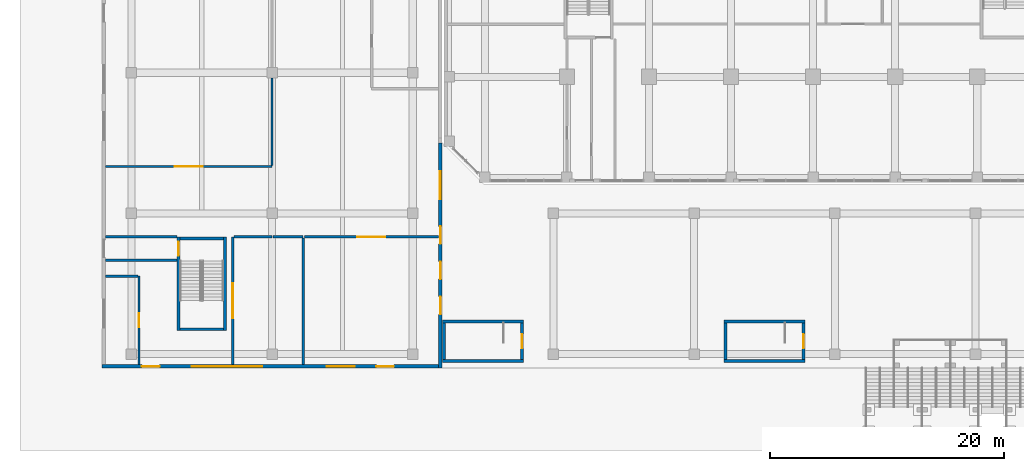
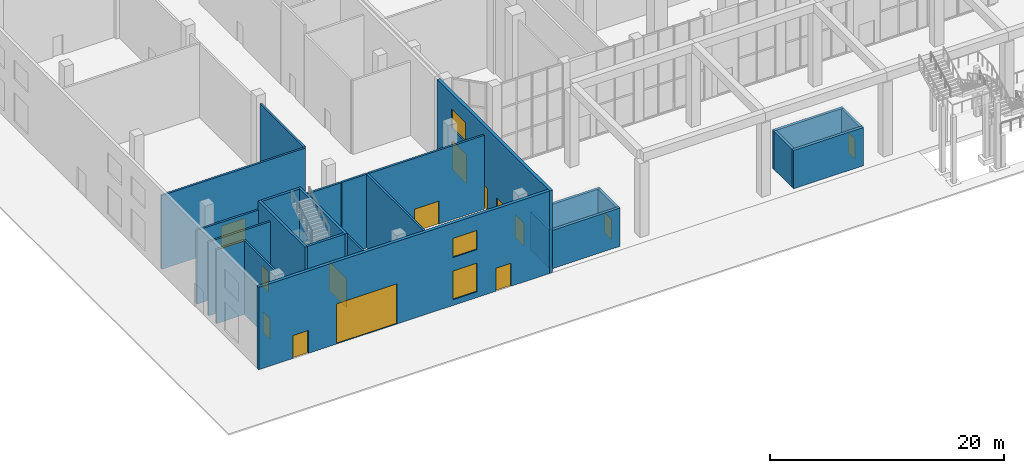
# One storey, part 18 of 43: 25 walls, 13 doors, 4 windows, 17 openings.
"""IFC4 building model written with IfcOpenShell, lengths in metres."""

from ifc_helpers import new_model, si_unit, direction, frame, frame_2d, origin, place, context, subcontext, project, spatial, rectangle, extrude, source, transform, mapped, material, layer, layer_set, type_object, element, fill, save


model = new_model("IFC4")

# Units and contexts
model_context = context("Model", 3, precision=1e-05, world=origin(), true_north=direction((0.0, 1.0)))
body_context = subcontext(model_context, "Body", "Model", "MODEL_VIEW")
ifc_project = project(units=[si_unit("LENGTHUNIT", "METRE"), si_unit("AREAUNIT", "SQUARE_METRE"), si_unit("VOLUMEUNIT", "CUBIC_METRE"), si_unit("PLANEANGLEUNIT", "RADIAN"), si_unit("MASSUNIT", "GRAM", prefix="KILO")], contexts=[model_context])

# Site, building, storey
site_placement = place(None, origin())
site = spatial("IfcSite", under=ifc_project, at=site_placement, CompositionType="ELEMENT")
building_placement = place(site_placement, origin())
building = spatial("IfcBuilding", under=site, at=building_placement, Name="Kilnfold Tower and Market Hall", CompositionType="ELEMENT")
storey_placement = place(building_placement, origin())
storey = spatial("IfcBuildingStorey", under=building, at=storey_placement, Name="L00", CompositionType="ELEMENT", Elevation=0.0)

# Walls
ifc_material_1 = material(Name="Concrete C50/60", Category="concrete")
ifc_layer_1 = layer(ifc_material_1, 0.25)
ifc_layer_set_1 = layer_set([ifc_layer_1], Name="Concrete C50/60")
wall_type_1 = type_object("IfcWallType", Name="HALL CORE WALL 250", PredefinedType="SHEAR", material=ifc_layer_set_1)
shared_shape_1 = source(origin(), body_context, "Body", "SweptSolid", [
    extrude(rectangle(XDim=3.699951171875, YDim=0.25, at=frame_2d((1.85009765625, 0.0))), origin(), (0.0, 0.0, 1.0), 8.60009765625),
])
for number, where, z_axis, x_axis, name in (
    (1, (-50.5, -40.52490234375, 0.0), (0.0, 0.0, 1.0), (1.0, 0.0, 0.0), "Core wall MS1"),
    (2, (-50.5, -32.77490234375, 0.0), (0.0, 0.0, 1.0), (1.0, 0.0, 0.0), "Core wall MS1"),
):
    element("IfcWall", number, at=place(storey_placement, frame(where, z_axis=z_axis, x_axis=x_axis)), inside=storey, type_object=wall_type_1, Name=name, PredefinedType="SHEAR", context=body_context, shape_type="MappedRepresentation", body=[
        mapped(shared_shape_1, transform((0.0, 0.0, 0.0))),
    ])

# Wall, opening, door
shared_shape_2 = source(origin(), body_context, "Body", "SweptSolid", [
    extrude(rectangle(XDim=8.0, YDim=0.25, at=frame_2d((4.0, 0.0))), origin(), (0.0, 0.0, 1.0), 8.60009765625),
])
wall_1_placement = place(storey_placement, frame((-50.625, -40.64990234375, 0.0), z_axis=(0.0, 0.0, 1.0), x_axis=(0.0, 1.0, 0.0)))
wall_1 = element("IfcWall", 3, at=wall_1_placement, inside=storey, type_object=wall_type_1, Name="Core wall MS1", PredefinedType="SHEAR", context=body_context, shape_type="MappedRepresentation", body=[
    mapped(shared_shape_2, transform((0.0, 0.0, 0.0))),
])
opening_1_placement = place(wall_1_placement, frame((6.39990234375, 0.0, 0.0)))
opening_1 = element("IfcOpeningElement", 4, at=opening_1_placement, cuts=wall_1, Name="Opening MD9-60", PredefinedType="OPENING", context=body_context, shape_type="SweptSolid", body=[
    extrude(rectangle(XDim=1.199951171875, YDim=2.10009765625, at=frame_2d((0.60009765625, 1.050048828125))), frame((0.0, 0.135009765625, 0.0), z_axis=(0.0, -1.0, 0.0), x_axis=(1.0, 0.0, 0.0)), (0.0, 0.0, 1.0), 0.27001953125),
])
ifc_material_2 = material(Name="Steel S355", Category="steel")
door_type_1 = type_object("IfcDoorType", Name="HALL DOOR STAIR 1200X2100 FD60", OperationType="NOTDEFINED", PredefinedType="DOOR", material=ifc_material_2)
door_1_placement = place(opening_1_placement, origin())
door_1 = element("IfcDoor", 5, at=door_1_placement, inside=storey, type_object=door_type_1, Name="Door MD9-60", OperationType="DOUBLE_DOOR_SINGLE_SWING", OverallHeight=2.10009765625, OverallWidth=1.199951171875, PredefinedType="DOOR", context=body_context, shape_type="SweptSolid", body=[
    extrude(rectangle(XDim=1.199951171875, YDim=2.10009765625, at=frame_2d((0.60009765625, 1.050048828125))), frame((0.0, 0.02490234375, 0.0), z_axis=(0.0, -1.0, 0.0), x_axis=(1.0, 0.0, 0.0)), (0.0, 0.0, 1.0), 0.050048828125),
])
fill(opening_1, door_1)

# Wall
wall_2_placement = place(storey_placement, frame((-46.675048828125, -40.64990234375, 0.0), z_axis=(0.0, 0.0, 1.0), x_axis=(0.0, 1.0, 0.0)))
element("IfcWall", 6, at=wall_2_placement, inside=storey, type_object=wall_type_1, Name="Core wall MS1", PredefinedType="SHEAR", context=body_context, shape_type="MappedRepresentation", body=[
    mapped(shared_shape_2, transform((0.0, 0.0, 0.0))),
])

# Wall, openings, windows, doors
ifc_material_3 = material(Name="Concrete blockwork", Category="masonry")
ifc_layer_2 = layer(ifc_material_3, 0.300048828125)
ifc_layer_set_2 = layer_set([ifc_layer_2], Name="Concrete blockwork")
wall_type_2 = type_object("IfcWallType", Name="HALL EXTERNAL WALL 300 EI 60", PredefinedType="SOLIDWALL", material=ifc_layer_set_2)
shared_shape_3 = source(origin(), body_context, "Body", "SweptSolid", [
    extrude(rectangle(XDim=19.225830078125, YDim=0.300048828125, at=frame_2d((9.61279296875, 0.0))), origin(), (0.0, 0.0, 1.0), 8.60009765625),
])
wall_3_placement = place(storey_placement, frame((-28.300048828125, -24.624267578125, 0.0), z_axis=(0.0, 0.0, 1.0), x_axis=(0.0, -1.0, 0.0)))
wall_3 = element("IfcWall", 7, at=wall_3_placement, inside=storey, type_object=wall_type_2, Name="External wall MEW-L00.10", PredefinedType="SOLIDWALL", context=body_context, shape_type="MappedRepresentation", body=[
    mapped(shared_shape_3, transform((0.0, 0.0, 0.0))),
])
opening_2_placement = place(wall_3_placement, frame((13.125732421875, 0.0, 0.0)))
opening_2 = element("IfcOpeningElement", 8, at=opening_2_placement, cuts=wall_3, Name="Opening MED1", PredefinedType="OPENING", context=body_context, shape_type="SweptSolid", body=[
    extrude(rectangle(XDim=1.5, YDim=2.39990234375, at=frame_2d((0.75, 1.199951171875))), frame((0.0, 0.16015625, 0.0), z_axis=(0.0, -1.0, 0.0), x_axis=(1.0, 0.0, 0.0)), (0.0, 0.0, 1.0), 0.320068359375),
])
opening_3_placement = place(wall_3_placement, frame((7.125732421875, 0.0, 0.0)))
opening_3 = element("IfcOpeningElement", 9, at=opening_3_placement, cuts=wall_3, Name="Opening MED1", PredefinedType="OPENING", context=body_context, shape_type="SweptSolid", body=[
    extrude(rectangle(XDim=1.5, YDim=2.39990234375, at=frame_2d((0.75, 1.199951171875))), frame((0.0, 0.16015625, 0.0), z_axis=(0.0, -1.0, 0.0), x_axis=(1.0, 0.0, 0.0)), (0.0, 0.0, 1.0), 0.320068359375),
])
opening_4_placement = place(wall_3_placement, frame((10.125732421875, 0.0, 0.0)))
opening_4 = element("IfcOpeningElement", 10, at=opening_4_placement, cuts=wall_3, Name="Opening MED1", PredefinedType="OPENING", context=body_context, shape_type="SweptSolid", body=[
    extrude(rectangle(XDim=1.5, YDim=2.39990234375, at=frame_2d((0.75, 1.199951171875))), frame((0.0, 0.16015625, 0.0), z_axis=(0.0, -1.0, 0.0), x_axis=(1.0, 0.0, 0.0)), (0.0, 0.0, 1.0), 0.320068359375),
])
opening_5_placement = place(wall_3_placement, frame((2.412841796875, 0.0, 0.60009765625)))
opening_5 = element("IfcOpeningElement", 11, at=opening_5_placement, cuts=wall_3, Name="Opening MEN1", PredefinedType="OPENING", context=body_context, shape_type="SweptSolid", body=[
    extrude(rectangle(XDim=2.39990234375, YDim=3.0, at=frame_2d((1.199951171875, 1.5))), frame((0.0, 0.16015625, 0.0), z_axis=(0.0, -1.0, 0.0), x_axis=(1.0, 0.0, 0.0)), (0.0, 0.0, 1.0), 0.320068359375),
])
opening_6_placement = place(wall_3_placement, frame((2.412841796875, 0.0, 5.0)))
opening_6 = element("IfcOpeningElement", 12, at=opening_6_placement, cuts=wall_3, Name="Opening MEN2", PredefinedType="OPENING", context=body_context, shape_type="SweptSolid", body=[
    extrude(rectangle(XDim=2.39990234375, YDim=2.0, at=frame_2d((1.199951171875, 1.0))), frame((0.0, 0.16015625, 0.0), z_axis=(0.0, -1.0, 0.0), x_axis=(1.0, 0.0, 0.0)), (0.0, 0.0, 1.0), 0.320068359375),
])
ifc_material_4 = material(Name="Aluminium glazing", Category="aluminium")
window_type_1 = type_object("IfcWindowType", Name="CLERESTORY 2400X2000", PartitioningType="SINGLE_PANEL", PredefinedType="WINDOW", material=ifc_material_4)
window_1_placement = place(opening_6_placement, origin())
window_1 = element("IfcWindow", 13, at=window_1_placement, inside=storey, type_object=window_type_1, Name="Window clerestory", OverallHeight=2.0, OverallWidth=2.39990234375, PartitioningType="SINGLE_PANEL", PredefinedType="WINDOW", context=body_context, shape_type="SweptSolid", body=[
    extrude(rectangle(XDim=2.39990234375, YDim=2.0, at=frame_2d((1.199951171875, 1.0))), frame((0.0, 0.030029296875, 0.0), z_axis=(0.0, -1.0, 0.0), x_axis=(1.0, 0.0, 0.0)), (0.0, 0.0, 1.0), 0.06005859375),
])
fill(opening_6, window_1)
ifc_material_5 = material(Name="Aluminium glazing", Category="aluminium")
door_type_2 = type_object("IfcDoorType", Name="HALL EXIT DOOR 1500X2400", OperationType="NOTDEFINED", PredefinedType="DOOR", material=ifc_material_5)
door_2_placement = place(opening_2_placement, origin())
door_2 = element("IfcDoor", 14, at=door_2_placement, inside=storey, type_object=door_type_2, Name="Exit door ME11", OperationType="DOUBLE_DOOR_SINGLE_SWING", OverallHeight=2.39990234375, OverallWidth=1.5, PredefinedType="DOOR", context=body_context, shape_type="SweptSolid", body=[
    extrude(rectangle(XDim=1.5, YDim=2.39990234375, at=frame_2d((0.75, 1.199951171875))), frame((0.0, 0.02490234375, 0.0), z_axis=(0.0, -1.0, 0.0), x_axis=(1.0, 0.0, 0.0)), (0.0, 0.0, 1.0), 0.050048828125),
])
fill(opening_2, door_2)
door_3_placement = place(opening_3_placement, origin())
door_3 = element("IfcDoor", 15, at=door_3_placement, inside=storey, type_object=door_type_2, Name="Exit door ME12", OperationType="DOUBLE_DOOR_SINGLE_SWING", OverallHeight=2.39990234375, OverallWidth=1.5, PredefinedType="DOOR", context=body_context, shape_type="SweptSolid", body=[
    extrude(rectangle(XDim=1.5, YDim=2.39990234375, at=frame_2d((0.75, 1.199951171875))), frame((0.0, 0.02490234375, 0.0), z_axis=(0.0, -1.0, 0.0), x_axis=(1.0, 0.0, 0.0)), (0.0, 0.0, 1.0), 0.050048828125),
])
fill(opening_3, door_3)
door_4_placement = place(opening_4_placement, origin())
door_4 = element("IfcDoor", 16, at=door_4_placement, inside=storey, type_object=door_type_2, Name="Exit door ME18", OperationType="DOUBLE_DOOR_SINGLE_SWING", OverallHeight=2.39990234375, OverallWidth=1.5, PredefinedType="DOOR", context=body_context, shape_type="SweptSolid", body=[
    extrude(rectangle(XDim=1.5, YDim=2.39990234375, at=frame_2d((0.75, 1.199951171875))), frame((0.0, 0.02490234375, 0.0), z_axis=(0.0, -1.0, 0.0), x_axis=(1.0, 0.0, 0.0)), (0.0, 0.0, 1.0), 0.050048828125),
])
fill(opening_4, door_4)
ifc_material_6 = material(Name="Aluminium glazing", Category="aluminium")
window_type_2 = type_object("IfcWindowType", Name="SHOPFRONT 2400X3000", PartitioningType="SINGLE_PANEL", PredefinedType="WINDOW", material=ifc_material_6)
window_2_placement = place(opening_5_placement, origin())
window_2 = element("IfcWindow", 17, at=window_2_placement, inside=storey, type_object=window_type_2, Name="Window shop", OverallHeight=3.0, OverallWidth=2.39990234375, PartitioningType="SINGLE_PANEL", PredefinedType="WINDOW", context=body_context, shape_type="SweptSolid", body=[
    extrude(rectangle(XDim=2.39990234375, YDim=3.0, at=frame_2d((1.199951171875, 1.5))), frame((0.0, 0.030029296875, 0.0), z_axis=(0.0, -1.0, 0.0), x_axis=(1.0, 0.0, 0.0)), (0.0, 0.0, 1.0), 0.06005859375),
])
fill(opening_5, window_2)

shared_shape_4 = source(origin(), body_context, "Body", "SweptSolid", [
    extrude(rectangle(XDim=28.699951171875, YDim=0.300048828125, at=frame_2d((14.35009765625, 0.0))), origin(), (0.0, 0.0, 1.0), 8.60009765625),
])
wall_4_placement = place(storey_placement, frame((-28.449951171875, -43.699951171875, 0.0), z_axis=(0.0, 0.0, 1.0), x_axis=(-1.0, 0.0, 0.0)))
wall_4 = element("IfcWall", 18, at=wall_4_placement, inside=storey, type_object=wall_type_2, Name="External wall MEW-L00.11", PredefinedType="SOLIDWALL", context=body_context, shape_type="MappedRepresentation", body=[
    mapped(shared_shape_4, transform((0.0, 0.0, 0.0))),
])
opening_7_placement = place(wall_4_placement, frame((23.800048828125, 0.0, 0.0)))
opening_7 = element("IfcOpeningElement", 19, at=opening_7_placement, cuts=wall_4, Name="Opening MED1", PredefinedType="OPENING", context=body_context, shape_type="SweptSolid", body=[
    extrude(rectangle(XDim=1.5, YDim=2.39990234375, at=frame_2d((0.75, 1.199951171875))), frame((0.0, 0.16015625, 0.0), z_axis=(0.0, -1.0, 0.0), x_axis=(1.0, 0.0, 0.0)), (0.0, 0.0, 1.0), 0.320068359375),
])
opening_8_placement = place(wall_4_placement, frame((3.800048828125, 0.0, 0.0)))
opening_8 = element("IfcOpeningElement", 20, at=opening_8_placement, cuts=wall_4, Name="Opening MED1", PredefinedType="OPENING", context=body_context, shape_type="SweptSolid", body=[
    extrude(rectangle(XDim=1.5, YDim=2.39990234375, at=frame_2d((0.75, 1.199951171875))), frame((0.0, 0.16015625, 0.0), z_axis=(0.0, -1.0, 0.0), x_axis=(1.0, 0.0, 0.0)), (0.0, 0.0, 1.0), 0.320068359375),
])
opening_9_placement = place(wall_4_placement, frame((15.050048828125, 0.0, 0.0)))
opening_9 = element("IfcOpeningElement", 21, at=opening_9_placement, cuts=wall_4, Name="Opening MED3", PredefinedType="OPENING", context=body_context, shape_type="SweptSolid", body=[
    extrude(rectangle(XDim=6.0, YDim=4.199951171875, at=frame_2d((3.0, 2.10009765625))), frame((0.0, 0.16015625, 0.0), z_axis=(0.0, -1.0, 0.0), x_axis=(1.0, 0.0, 0.0)), (0.0, 0.0, 1.0), 0.320068359375),
])
opening_10_placement = place(wall_4_placement, frame((7.14990234375, 0.0, 0.60009765625)))
opening_10 = element("IfcOpeningElement", 22, at=opening_10_placement, cuts=wall_4, Name="Opening MEN1", PredefinedType="OPENING", context=body_context, shape_type="SweptSolid", body=[
    extrude(rectangle(XDim=2.39990234375, YDim=3.0, at=frame_2d((1.199951171875, 1.5))), frame((0.0, 0.16015625, 0.0), z_axis=(0.0, -1.0, 0.0), x_axis=(1.0, 0.0, 0.0)), (0.0, 0.0, 1.0), 0.320068359375),
])
opening_11_placement = place(wall_4_placement, frame((7.14990234375, 0.0, 5.0)))
opening_11 = element("IfcOpeningElement", 23, at=opening_11_placement, cuts=wall_4, Name="Opening MEN2", PredefinedType="OPENING", context=body_context, shape_type="SweptSolid", body=[
    extrude(rectangle(XDim=2.39990234375, YDim=2.0, at=frame_2d((1.199951171875, 1.0))), frame((0.0, 0.16015625, 0.0), z_axis=(0.0, -1.0, 0.0), x_axis=(1.0, 0.0, 0.0)), (0.0, 0.0, 1.0), 0.320068359375),
])
window_3_placement = place(opening_11_placement, origin())
window_3 = element("IfcWindow", 24, at=window_3_placement, inside=storey, type_object=window_type_1, Name="Window clerestory", OverallHeight=2.0, OverallWidth=2.39990234375, PartitioningType="SINGLE_PANEL", PredefinedType="WINDOW", context=body_context, shape_type="SweptSolid", body=[
    extrude(rectangle(XDim=2.39990234375, YDim=2.0, at=frame_2d((1.199951171875, 1.0))), frame((0.0, 0.030029296875, 0.0), z_axis=(0.0, -1.0, 0.0), x_axis=(1.0, 0.0, 0.0)), (0.0, 0.0, 1.0), 0.06005859375),
])
fill(opening_11, window_3)
door_5_placement = place(opening_7_placement, origin())
door_5 = element("IfcDoor", 25, at=door_5_placement, inside=storey, type_object=door_type_2, Name="Exit door ME6", OperationType="DOUBLE_DOOR_SINGLE_SWING", OverallHeight=2.39990234375, OverallWidth=1.5, PredefinedType="DOOR", context=body_context, shape_type="SweptSolid", body=[
    extrude(rectangle(XDim=1.5, YDim=2.39990234375, at=frame_2d((0.75, 1.199951171875))), frame((0.0, 0.02490234375, 0.0), z_axis=(0.0, -1.0, 0.0), x_axis=(1.0, 0.0, 0.0)), (0.0, 0.0, 1.0), 0.050048828125),
])
fill(opening_7, door_5)
door_6_placement = place(opening_8_placement, origin())
door_6 = element("IfcDoor", 26, at=door_6_placement, inside=storey, type_object=door_type_2, Name="Exit door ME7", OperationType="DOUBLE_DOOR_SINGLE_SWING", OverallHeight=2.39990234375, OverallWidth=1.5, PredefinedType="DOOR", context=body_context, shape_type="SweptSolid", body=[
    extrude(rectangle(XDim=1.5, YDim=2.39990234375, at=frame_2d((0.75, 1.199951171875))), frame((0.0, 0.02490234375, 0.0), z_axis=(0.0, -1.0, 0.0), x_axis=(1.0, 0.0, 0.0)), (0.0, 0.0, 1.0), 0.050048828125),
])
fill(opening_8, door_6)
ifc_material_7 = material(Name="Steel S355", Category="steel")
door_type_3 = type_object("IfcDoorType", Name="ROLLER SHUTTER 6000X4200", OperationType="NOTDEFINED", PredefinedType="DOOR", material=ifc_material_7)
door_7_placement = place(opening_9_placement, origin())
door_7 = element("IfcDoor", 27, at=door_7_placement, inside=storey, type_object=door_type_3, Name="Loading shutter MV1", OperationType="ROLLINGUP", OverallHeight=4.199951171875, OverallWidth=6.0, PredefinedType="DOOR", context=body_context, shape_type="SweptSolid", body=[
    extrude(rectangle(XDim=6.0, YDim=4.199951171875, at=frame_2d((3.0, 2.10009765625))), frame((0.0, 0.02490234375, 0.0), z_axis=(0.0, -1.0, 0.0), x_axis=(1.0, 0.0, 0.0)), (0.0, 0.0, 1.0), 0.050048828125),
])
fill(opening_9, door_7)
window_4_placement = place(opening_10_placement, origin())
window_4 = element("IfcWindow", 28, at=window_4_placement, inside=storey, type_object=window_type_2, Name="Window shop", OverallHeight=3.0, OverallWidth=2.39990234375, PartitioningType="SINGLE_PANEL", PredefinedType="WINDOW", context=body_context, shape_type="SweptSolid", body=[
    extrude(rectangle(XDim=2.39990234375, YDim=3.0, at=frame_2d((1.199951171875, 1.5))), frame((0.0, 0.030029296875, 0.0), z_axis=(0.0, -1.0, 0.0), x_axis=(1.0, 0.0, 0.0)), (0.0, 0.0, 1.0), 0.06005859375),
])
fill(opening_10, window_4)

# Walls
ifc_material_8 = material(Name="Concrete blockwork", Category="masonry")
ifc_layer_3 = layer(ifc_material_8, 0.199951171875)
ifc_layer_set_3 = layer_set([ifc_layer_3], Name="Concrete blockwork")
wall_type_3 = type_object("IfcWallType", Name="HALL PARTITION 200 EI 60", PredefinedType="PARTITIONING", material=ifc_layer_set_3)
shared_shape_5 = source(origin(), body_context, "Body", "SweptSolid", [
    extrude(rectangle(XDim=6.10009765625, YDim=0.199951171875, at=frame_2d((3.050048828125, 0.0))), origin(), (0.0, 0.0, 1.0), 7.699951171875),
])
for number, where, z_axis, x_axis, name in (
    (29, (-56.85009765625, -34.64990234375, 0.0), (0.0, 0.0, 1.0), (1.0, 0.0, 0.0), "Partition W-MH-L00.1"),
    (30, (-50.75, -32.64990234375, 0.0), (0.0, 0.0, 1.0), (-1.0, 0.0, 0.0), "Partition W-MH-L00.8"),
):
    element("IfcWall", number, at=place(storey_placement, frame(where, z_axis=z_axis, x_axis=x_axis)), inside=storey, type_object=wall_type_3, Name=name, PredefinedType="PARTITIONING", context=body_context, shape_type="MappedRepresentation", body=[
        mapped(shared_shape_5, transform((0.0, 0.0, 0.0))),
    ])

# Wall, opening, door
shared_shape_6 = source(origin(), body_context, "Body", "SweptSolid", [
    extrude(rectangle(XDim=14.2001953125, YDim=0.199951171875, at=frame_2d((7.10009765625, 0.0))), origin(), (0.0, 0.0, 1.0), 7.699951171875),
])
wall_5_placement = place(storey_placement, frame((-56.85009765625, -26.64990234375, 0.0), z_axis=(0.0, 0.0, 1.0), x_axis=(1.0, 0.0, 0.0)))
wall_5 = element("IfcWall", 31, at=wall_5_placement, inside=storey, type_object=wall_type_3, Name="Partition W-MH-L00.2", PredefinedType="PARTITIONING", context=body_context, shape_type="MappedRepresentation", body=[
    mapped(shared_shape_6, transform((0.0, 0.0, 0.0))),
])
opening_12_placement = place(wall_5_placement, frame((5.89990234375, 0.0, 0.0)))
opening_12 = element("IfcOpeningElement", 32, at=opening_12_placement, cuts=wall_5, Name="Opening MD7-60", PredefinedType="OPENING", context=body_context, shape_type="SweptSolid", body=[
    extrude(rectangle(XDim=2.39990234375, YDim=2.39990234375, at=frame_2d((1.199951171875, 1.199951171875))), frame((0.0, 0.10986328125, 0.0), z_axis=(0.0, -1.0, 0.0), x_axis=(1.0, 0.0, 0.0)), (0.0, 0.0, 1.0), 0.219970703125),
])
ifc_material_9 = material(Name="Aluminium glazing", Category="aluminium")
door_type_4 = type_object("IfcDoorType", Name="HALL DOOR HALL 2400X2400 FD60", OperationType="NOTDEFINED", PredefinedType="DOOR", material=ifc_material_9)
door_8_placement = place(opening_12_placement, origin())
door_8 = element("IfcDoor", 33, at=door_8_placement, inside=storey, type_object=door_type_4, Name="Door MD7-60", OperationType="DOUBLE_DOOR_SINGLE_SWING", OverallHeight=2.39990234375, OverallWidth=2.39990234375, PredefinedType="DOOR", context=body_context, shape_type="SweptSolid", body=[
    extrude(rectangle(XDim=2.39990234375, YDim=2.39990234375, at=frame_2d((1.199951171875, 1.199951171875))), frame((0.0, 0.02490234375, 0.0), z_axis=(0.0, -1.0, 0.0), x_axis=(1.0, 0.0, 0.0)), (0.0, 0.0, 1.0), 0.050048828125),
])
fill(opening_12, door_8)

ifc_material_10 = material(Name="Concrete blockwork", Category="masonry")
ifc_layer_4 = layer(ifc_material_10, 0.199951171875)
ifc_layer_set_4 = layer_set([ifc_layer_4], Name="Concrete blockwork")
wall_type_4 = type_object("IfcWallType", Name="HALL PARTITION 200 EI 120", PredefinedType="PARTITIONING", material=ifc_layer_set_4)
shared_shape_7 = source(origin(), body_context, "Body", "SweptSolid", [
    extrude(rectangle(XDim=7.550048828125, YDim=0.199951171875, at=frame_2d((3.77490234375, 0.0))), origin(), (0.0, 0.0, 1.0), 7.699951171875),
])
wall_6_placement = place(storey_placement, frame((-54.0, -43.550048828125, 0.0), z_axis=(0.0, 0.0, 1.0), x_axis=(0.0, 1.0, 0.0)))
wall_6 = element("IfcWall", 34, at=wall_6_placement, inside=storey, type_object=wall_type_4, Name="Partition W-MH-L00.6", PredefinedType="PARTITIONING", context=body_context, shape_type="MappedRepresentation", body=[
    mapped(shared_shape_7, transform((0.0, 0.0, 0.0))),
])
opening_13_placement = place(wall_6_placement, frame((3.175048828125, 0.0, 0.0)))
opening_13 = element("IfcOpeningElement", 35, at=opening_13_placement, cuts=wall_6, Name="Opening MD3-120", PredefinedType="OPENING", context=body_context, shape_type="SweptSolid", body=[
    extrude(rectangle(XDim=1.199951171875, YDim=2.10009765625, at=frame_2d((0.60009765625, 1.050048828125))), frame((0.0, 0.10986328125, 0.0), z_axis=(0.0, -1.0, 0.0), x_axis=(1.0, 0.0, 0.0)), (0.0, 0.0, 1.0), 0.219970703125),
])
ifc_material_11 = material(Name="Steel S355", Category="steel")
door_type_5 = type_object("IfcDoorType", Name="HALL DOOR SERVICE 1200X2100 FD120", OperationType="NOTDEFINED", PredefinedType="DOOR", material=ifc_material_11)
door_9_placement = place(opening_13_placement, origin())
door_9 = element("IfcDoor", 36, at=door_9_placement, inside=storey, type_object=door_type_5, Name="Door MD3-120", OperationType="SINGLE_SWING_RIGHT", OverallHeight=2.10009765625, OverallWidth=1.199951171875, PredefinedType="DOOR", context=body_context, shape_type="SweptSolid", body=[
    extrude(rectangle(XDim=1.199951171875, YDim=2.10009765625, at=frame_2d((0.60009765625, 1.050048828125))), frame((0.0, 0.02490234375, 0.0), z_axis=(0.0, -1.0, 0.0), x_axis=(1.0, 0.0, 0.0)), (0.0, 0.0, 1.0), 0.050048828125),
])
fill(opening_13, door_9)

# Wall
shared_shape_8 = source(origin(), body_context, "Body", "SweptSolid", [
    extrude(rectangle(XDim=2.75, YDim=0.199951171875, at=frame_2d((1.375, 0.0))), origin(), (0.0, 0.0, 1.0), 7.699951171875),
])
wall_7_placement = place(storey_placement, frame((-54.10009765625, -36.0, 0.0), z_axis=(0.0, 0.0, 1.0), x_axis=(-1.0, 0.0, 0.0)))
element("IfcWall", 37, at=wall_7_placement, inside=storey, type_object=wall_type_4, Name="Partition W-MH-L00.7", PredefinedType="PARTITIONING", context=body_context, shape_type="MappedRepresentation", body=[
    mapped(shared_shape_8, transform((0.0, 0.0, 0.0))),
])

# Wall, opening, door
shared_shape_9 = source(origin(), body_context, "Body", "SweptSolid", [
    extrude(rectangle(XDim=10.900146484375, YDim=0.199951171875, at=frame_2d((5.4501953125, 0.0))), origin(), (0.0, 0.0, 1.0), 7.699951171875),
])
wall_8_placement = place(storey_placement, frame((-46.0, -32.64990234375, 0.0), z_axis=(0.0, 0.0, 1.0), x_axis=(0.0, -1.0, 0.0)))
wall_8 = element("IfcWall", 38, at=wall_8_placement, inside=storey, type_object=wall_type_4, Name="Partition W-MH-L00.9", PredefinedType="PARTITIONING", context=body_context, shape_type="MappedRepresentation", body=[
    mapped(shared_shape_9, transform((0.0, 0.0, 0.0))),
])
opening_14_placement = place(wall_8_placement, frame((3.949951171875, 0.0, 0.0)))
opening_14 = element("IfcOpeningElement", 39, at=opening_14_placement, cuts=wall_8, Name="Opening MD8-120", PredefinedType="OPENING", context=body_context, shape_type="SweptSolid", body=[
    extrude(rectangle(XDim=3.0, YDim=3.0, at=frame_2d((1.5, 1.5))), frame((0.0, 0.10986328125, 0.0), z_axis=(0.0, -1.0, 0.0), x_axis=(1.0, 0.0, 0.0)), (0.0, 0.0, 1.0), 0.219970703125),
])
ifc_material_12 = material(Name="Steel S355", Category="steel")
door_type_6 = type_object("IfcDoorType", Name="HALL DOOR DOCK 3000X3000 FD120", OperationType="NOTDEFINED", PredefinedType="DOOR", material=ifc_material_12)
door_10_placement = place(opening_14_placement, origin())
door_10 = element("IfcDoor", 40, at=door_10_placement, inside=storey, type_object=door_type_6, Name="Door MD8-120", OperationType="ROLLINGUP", OverallHeight=3.0, OverallWidth=3.0, PredefinedType="DOOR", context=body_context, shape_type="SweptSolid", body=[
    extrude(rectangle(XDim=3.0, YDim=3.0, at=frame_2d((1.5, 1.5))), frame((0.0, 0.02490234375, 0.0), z_axis=(0.0, -1.0, 0.0), x_axis=(1.0, 0.0, 0.0)), (0.0, 0.0, 1.0), 0.050048828125),
])
fill(opening_14, door_10)

# Walls
shared_shape_10 = source(origin(), body_context, "Body", "SweptSolid", [
    extrude(rectangle(XDim=3.25, YDim=0.199951171875, at=frame_2d((1.625, 0.0))), origin(), (0.0, 0.0, 1.0), 7.699951171875),
])
wall_9_placement = place(storey_placement, frame((-42.64990234375, -32.64990234375, 0.0), z_axis=(0.0, 0.0, 1.0), x_axis=(-1.0, 0.0, 0.0)))
element("IfcWall", 41, at=wall_9_placement, inside=storey, type_object=wall_type_4, Name="Partition W-MH-L00.10", PredefinedType="PARTITIONING", context=body_context, shape_type="MappedRepresentation", body=[
    mapped(shared_shape_10, transform((0.0, 0.0, 0.0))),
])
shared_shape_11 = source(origin(), body_context, "Body", "SweptSolid", [
    extrude(rectangle(XDim=7.449951171875, YDim=0.199951171875, at=frame_2d((3.72509765625, 0.0))), origin(), (0.0, 0.0, 1.0), 7.699951171875),
])
wall_10_placement = place(storey_placement, frame((-42.64990234375, -26.550048828125, 0.0), z_axis=(0.0, 0.0, 1.0), x_axis=(0.0, 1.0, 0.0)))
element("IfcWall", 42, at=wall_10_placement, inside=storey, type_object=wall_type_3, Name="Partition W-MH-L00.11", PredefinedType="PARTITIONING", context=body_context, shape_type="MappedRepresentation", body=[
    mapped(shared_shape_11, transform((0.0, 0.0, 0.0))),
])
shared_shape_12 = source(origin(), body_context, "Body", "SweptSolid", [
    extrude(rectangle(XDim=2.550048828125, YDim=0.199951171875, at=frame_2d((1.27490234375, 0.0))), origin(), (0.0, 0.0, 1.0), 7.699951171875),
])
wall_11_placement = place(storey_placement, frame((-40.0, -32.64990234375, 0.0), z_axis=(0.0, 0.0, 1.0), x_axis=(-1.0, 0.0, 0.0)))
element("IfcWall", 43, at=wall_11_placement, inside=storey, type_object=wall_type_4, Name="Partition W-MH-L00.20", PredefinedType="PARTITIONING", context=body_context, shape_type="MappedRepresentation", body=[
    mapped(shared_shape_12, transform((0.0, 0.0, 0.0))),
])
shared_shape_13 = source(origin(), body_context, "Body", "SweptSolid", [
    extrude(rectangle(XDim=10.800048828125, YDim=0.199951171875, at=frame_2d((5.39990234375, 0.0))), origin(), (0.0, 0.0, 1.0), 7.699951171875),
])
wall_12_placement = place(storey_placement, frame((-40.0, -32.75, 0.0), z_axis=(0.0, 0.0, 1.0), x_axis=(0.0, -1.0, 0.0)))
element("IfcWall", 44, at=wall_12_placement, inside=storey, type_object=wall_type_4, Name="Partition W-MH-L00.21", PredefinedType="PARTITIONING", context=body_context, shape_type="MappedRepresentation", body=[
    mapped(shared_shape_13, transform((0.0, 0.0, 0.0))),
])

# Wall, opening, door
shared_shape_14 = source(origin(), body_context, "Body", "SweptSolid", [
    extrude(rectangle(XDim=11.449951171875, YDim=0.199951171875, at=frame_2d((5.72509765625, 0.0))), origin(), (0.0, 0.0, 1.0), 7.699951171875),
])
wall_13_placement = place(storey_placement, frame((-28.449951171875, -32.64990234375, 0.0), z_axis=(0.0, 0.0, 1.0), x_axis=(-1.0, 0.0, 0.0)))
wall_13 = element("IfcWall", 45, at=wall_13_placement, inside=storey, type_object=wall_type_3, Name="Partition W-MH-L00.29", PredefinedType="PARTITIONING", context=body_context, shape_type="MappedRepresentation", body=[
    mapped(shared_shape_14, transform((0.0, 0.0, 0.0))),
])
opening_15_placement = place(wall_13_placement, frame((4.52490234375, 0.0, 0.0)))
opening_15 = element("IfcOpeningElement", 46, at=opening_15_placement, cuts=wall_13, Name="Opening MD7-60", PredefinedType="OPENING", context=body_context, shape_type="SweptSolid", body=[
    extrude(rectangle(XDim=2.39990234375, YDim=2.39990234375, at=frame_2d((1.199951171875, 1.199951171875))), frame((0.0, 0.10986328125, 0.0), z_axis=(0.0, -1.0, 0.0), x_axis=(1.0, 0.0, 0.0)), (0.0, 0.0, 1.0), 0.219970703125),
])
door_11_placement = place(opening_15_placement, origin())
door_11 = element("IfcDoor", 47, at=door_11_placement, inside=storey, type_object=door_type_4, Name="Door MD7-60", OperationType="DOUBLE_DOOR_SINGLE_SWING", OverallHeight=2.39990234375, OverallWidth=2.39990234375, PredefinedType="DOOR", context=body_context, shape_type="SweptSolid", body=[
    extrude(rectangle(XDim=2.39990234375, YDim=2.39990234375, at=frame_2d((1.199951171875, 1.199951171875))), frame((0.0, 0.02490234375, 0.0), z_axis=(0.0, -1.0, 0.0), x_axis=(1.0, 0.0, 0.0)), (0.0, 0.0, 1.0), 0.050048828125),
])
fill(opening_15, door_11)

# Walls
ifc_material_13 = material(Name="Concrete C50/60", Category="concrete")
ifc_layer_5 = layer(ifc_material_13, 0.25)
ifc_layer_set_5 = layer_set([ifc_layer_5], Name="Concrete C50/60")
wall_type_5 = type_object("IfcWallType", Name="CAR PARK STAIR WALL 250", PredefinedType="SHEAR", material=ifc_layer_set_5)
shared_shape_15 = source(origin(), body_context, "Body", "SweptSolid", [
    extrude(rectangle(XDim=6.900146484375, YDim=0.25, at=frame_2d((3.4501953125, 0.0))), origin(), (0.0, 0.0, 1.0), 4.0),
])
for number, where, z_axis, x_axis, name in (
    (48, (-28.10009765625, -43.22509765625, 0.0), (0.0, 0.0, 1.0), (1.0, 0.0, 0.0), "Stair CS1 wall south"),
    (49, (-28.10009765625, -39.875, 0.0), (0.0, 0.0, 1.0), (1.0, 0.0, 0.0), "Stair CS1 wall north"),
    (50, (-4.10009765625, -43.22509765625, 0.0), (0.0, 0.0, 1.0), (1.0, 0.0, 0.0), "Stair CS2 wall south"),
    (51, (-4.10009765625, -39.875, 0.0), (0.0, 0.0, 1.0), (1.0, 0.0, 0.0), "Stair CS2 wall north"),
):
    element("IfcWall", number, at=place(storey_placement, frame(where, z_axis=z_axis, x_axis=x_axis)), inside=storey, type_object=wall_type_5, Name=name, PredefinedType="SHEAR", context=body_context, shape_type="MappedRepresentation", body=[
        mapped(shared_shape_15, transform((0.0, 0.0, 0.0))),
    ])
shared_shape_16 = source(origin(), body_context, "Body", "SweptSolid", [
    extrude(rectangle(XDim=3.10009765625, YDim=0.25, at=frame_2d((1.550048828125, 0.0))), origin(), (0.0, 0.0, 1.0), 4.0),
])
wall_14_placement = place(storey_placement, frame((-27.97509765625, -43.10009765625, 0.0), z_axis=(0.0, 0.0, 1.0), x_axis=(0.0, 1.0, 0.0)))
element("IfcWall", 52, at=wall_14_placement, inside=storey, type_object=wall_type_5, Name="Stair CS1 wall west", PredefinedType="SHEAR", context=body_context, shape_type="MappedRepresentation", body=[
    mapped(shared_shape_16, transform((0.0, 0.0, 0.0))),
])

# Wall, opening, door
wall_15_placement = place(storey_placement, frame((-21.324951171875, -43.10009765625, 0.0), z_axis=(0.0, 0.0, 1.0), x_axis=(0.0, 1.0, 0.0)))
wall_15 = element("IfcWall", 53, at=wall_15_placement, inside=storey, type_object=wall_type_5, Name="Stair CS1 wall east", PredefinedType="SHEAR", context=body_context, shape_type="MappedRepresentation", body=[
    mapped(shared_shape_16, transform((0.0, 0.0, 0.0))),
])
opening_16_placement = place(wall_15_placement, frame((0.949951171875, 0.0, 0.0)))
opening_16 = element("IfcOpeningElement", 54, at=opening_16_placement, cuts=wall_15, Name="Opening FD2", PredefinedType="OPENING", context=body_context, shape_type="SweptSolid", body=[
    extrude(rectangle(XDim=1.199951171875, YDim=2.10009765625, at=frame_2d((0.60009765625, 1.050048828125))), frame((0.0, 0.135009765625, 0.0), z_axis=(0.0, -1.0, 0.0), x_axis=(1.0, 0.0, 0.0)), (0.0, 0.0, 1.0), 0.27001953125),
])
ifc_material_14 = material(Name="Steel S355", Category="steel")
door_type_7 = type_object("IfcDoorType", Name="CAR PARK STAIR DOOR 1200X2100", OperationType="NOTDEFINED", PredefinedType="DOOR", material=ifc_material_14)
door_12_placement = place(opening_16_placement, origin())
door_12 = element("IfcDoor", 55, at=door_12_placement, inside=storey, type_object=door_type_7, Name="Stair CS1 door", OperationType="SINGLE_SWING_RIGHT", OverallHeight=2.10009765625, OverallWidth=1.199951171875, PredefinedType="DOOR", context=body_context, shape_type="SweptSolid", body=[
    extrude(rectangle(XDim=1.199951171875, YDim=2.10009765625, at=frame_2d((0.60009765625, 1.050048828125))), frame((0.0, 0.02490234375, 0.0), z_axis=(0.0, -1.0, 0.0), x_axis=(1.0, 0.0, 0.0)), (0.0, 0.0, 1.0), 0.050048828125),
])
fill(opening_16, door_12)

# Wall
wall_16_placement = place(storey_placement, frame((-3.97509765625, -43.10009765625, 0.0), z_axis=(0.0, 0.0, 1.0), x_axis=(0.0, 1.0, 0.0)))
element("IfcWall", 56, at=wall_16_placement, inside=storey, type_object=wall_type_5, Name="Stair CS2 wall west", PredefinedType="SHEAR", context=body_context, shape_type="MappedRepresentation", body=[
    mapped(shared_shape_16, transform((0.0, 0.0, 0.0))),
])

# Wall, opening, door
wall_17_placement = place(storey_placement, frame((2.675048828125, -43.10009765625, 0.0), z_axis=(0.0, 0.0, 1.0), x_axis=(0.0, 1.0, 0.0)))
wall_17 = element("IfcWall", 57, at=wall_17_placement, inside=storey, type_object=wall_type_5, Name="Stair CS2 wall east", PredefinedType="SHEAR", context=body_context, shape_type="MappedRepresentation", body=[
    mapped(shared_shape_16, transform((0.0, 0.0, 0.0))),
])
opening_17_placement = place(wall_17_placement, frame((0.949951171875, 0.0, 0.0)))
opening_17 = element("IfcOpeningElement", 58, at=opening_17_placement, cuts=wall_17, Name="Opening FD2", PredefinedType="OPENING", context=body_context, shape_type="SweptSolid", body=[
    extrude(rectangle(XDim=1.199951171875, YDim=2.10009765625, at=frame_2d((0.60009765625, 1.050048828125))), frame((0.0, 0.135009765625, 0.0), z_axis=(0.0, -1.0, 0.0), x_axis=(1.0, 0.0, 0.0)), (0.0, 0.0, 1.0), 0.27001953125),
])
door_13_placement = place(opening_17_placement, origin())
door_13 = element("IfcDoor", 59, at=door_13_placement, inside=storey, type_object=door_type_7, Name="Stair CS2 door", OperationType="SINGLE_SWING_RIGHT", OverallHeight=2.10009765625, OverallWidth=1.199951171875, PredefinedType="DOOR", context=body_context, shape_type="SweptSolid", body=[
    extrude(rectangle(XDim=1.199951171875, YDim=2.10009765625, at=frame_2d((0.60009765625, 1.050048828125))), frame((0.0, 0.02490234375, 0.0), z_axis=(0.0, -1.0, 0.0), x_axis=(1.0, 0.0, 0.0)), (0.0, 0.0, 1.0), 0.050048828125),
])
fill(opening_17, door_13)

save(model, "model.ifc")
